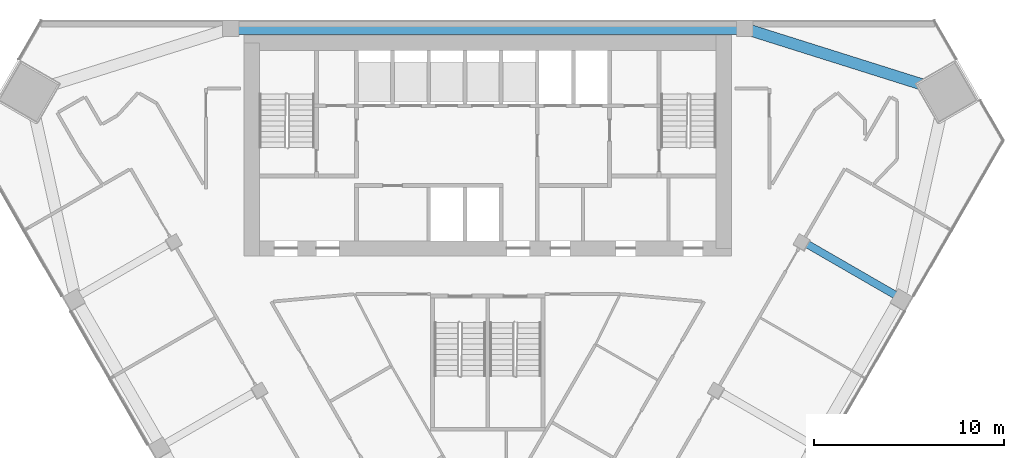
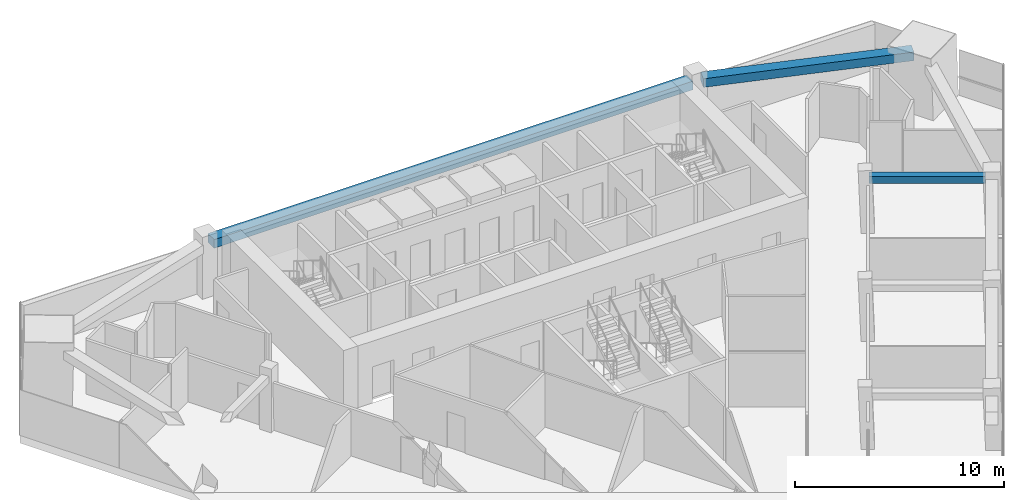
# One storey, part 6 of 13: 3 beams.
"""IFC4 building model written with IfcOpenShell, lengths in metres."""

from ifc_helpers import new_model, si_unit, direction, frame, origin, origin_2d, place, context, subcontext, project, spatial, rectangle, extrude, material, material_profile, profile_set, type_object, element, save


model = new_model("IFC4")

# Units and contexts
model_context = context("Model", 3, precision=1e-05, world=origin(), true_north=direction((0.0, 1.0)))
body_context = subcontext(model_context, "Body", "Model", "MODEL_VIEW")
ifc_project = project(units=[si_unit("LENGTHUNIT", "METRE"), si_unit("AREAUNIT", "SQUARE_METRE"), si_unit("VOLUMEUNIT", "CUBIC_METRE"), si_unit("PLANEANGLEUNIT", "RADIAN"), si_unit("MASSUNIT", "GRAM", prefix="KILO")], contexts=[model_context])

# Site, building, storey
site_placement = place(None, origin())
site = spatial("IfcSite", under=ifc_project, at=site_placement, CompositionType="ELEMENT")
building_placement = place(site_placement, origin())
building = spatial("IfcBuilding", under=site, at=building_placement, Name="Altiplano Prism Tower", CompositionType="ELEMENT")
storey_placement = place(building_placement, frame((0.0, 0.0, 153.0)))
storey = spatial("IfcBuildingStorey", under=building, at=storey_placement, Name="L39", CompositionType="ELEMENT", Elevation=153.0)

# Beams
ifc_material = material(Name="Concrete C60/75", Category="concrete")
ifc_material_profile_1 = material_profile(ifc_material, rectangle(XDim=0.60009765625, YDim=0.5, at=origin_2d()), Name="Edge beam 600x500")
ifc_profile_set_1 = profile_set([ifc_material_profile_1], Name="Concrete C60/75")
beam_type_1 = type_object("IfcBeamType", Name="Edge beam 600x500", PredefinedType="SPANDREL", material=ifc_profile_set_1)
beam_1_placement = place(storey_placement, frame((108.636962890625, 101.35498046875, 2.89990234375), z_axis=(-0.953747261575, 0.300609648944, 0.0), x_axis=(-0.300609648944, -0.953747261575, 0.0)))
element("IfcBeam", 1, at=beam_1_placement, inside=storey, type_object=beam_type_1, Name="Edge beam M2-P01 L40", PredefinedType="SPANDREL", context=body_context, shape_type="SweptSolid", body=[
    extrude(rectangle(XDim=0.60009765625, YDim=0.5, at=origin_2d()), origin(), (0.0, 0.0, 1.0), 10.302978515625),
])
beam_2_placement = place(storey_placement, frame((98.195068359375, 104.550048828125, 2.89990234375), z_axis=(-1.0, 0.0, 0.0), x_axis=(0.0, -1.0, 0.0)))
element("IfcBeam", 2, at=beam_2_placement, inside=storey, type_object=beam_type_1, Name="Edge beam P01-P04 L40", PredefinedType="SPANDREL", context=body_context, shape_type="SweptSolid", body=[
    extrude(rectangle(XDim=0.60009765625, YDim=0.5, at=origin_2d()), origin(), (0.0, 0.0, 1.0), 26.39013671875),
])
ifc_material_profile_2 = material_profile(ifc_material, rectangle(XDim=0.39990234375, YDim=0.39990234375, at=origin_2d()), Name="Tie beam 400x400")
ifc_profile_set_2 = profile_set([ifc_material_profile_2], Name="Concrete C60/75")
beam_type_2 = type_object("IfcBeamType", Name="Tie beam 400x400", PredefinedType="BEAM", material=ifc_profile_set_2)
beam_3_placement = place(storey_placement, frame((101.605224609375, 93.326416015625, 2.949951171875), z_axis=(0.866027073272, -0.499997108352, 0.0), x_axis=(0.499997108352, 0.866027073272, 0.0)))
element("IfcBeam", 3, at=beam_3_placement, inside=storey, type_object=beam_type_2, Name="Tie beam I24 L40", PredefinedType="BEAM", context=body_context, shape_type="SweptSolid", body=[
    extrude(rectangle(XDim=0.39990234375, YDim=0.39990234375, at=origin_2d()), origin(), (0.0, 0.0, 1.0), 5.5400390625),
])

save(model, "model.ifc")
